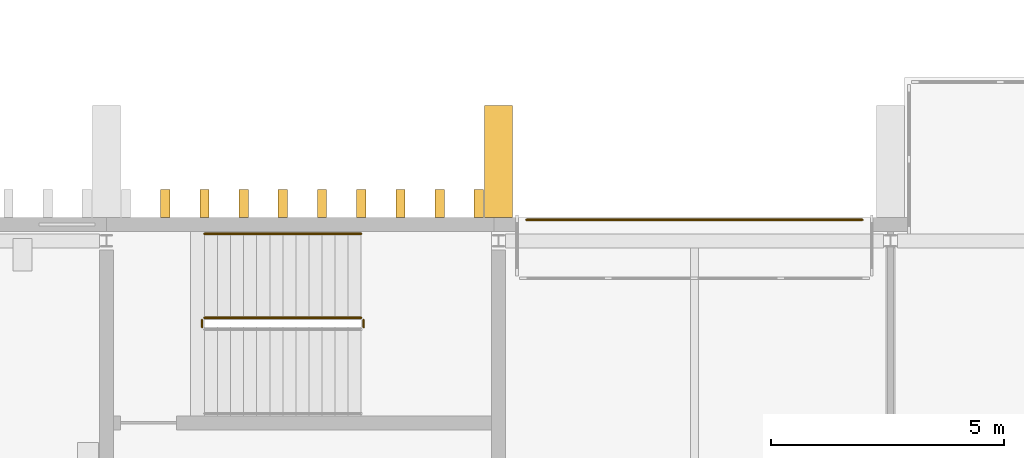
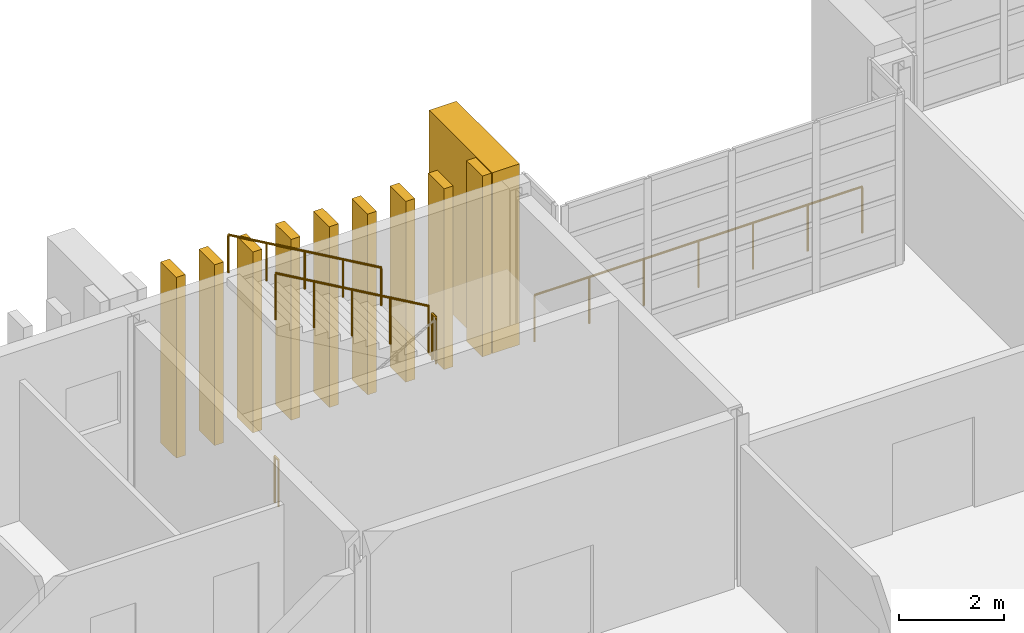
# One storey, part 78 of 88: 10 coverings, 5 railings.
"""IFC4 building model written with IfcOpenShell, lengths in metres."""

import ifcopenshell
import ifcopenshell.guid

model = None  # the IFC model being written
_history = None  # IfcOwnerHistory: only IFC2X3 demands one
_inside = {}  # id of a spatial element -> (the spatial element, [elements in it])
_under = {}  # id of a project, library or spatial element -> (it, [spatial elements below it])
_declared = {}  # id of a project -> (the project, [libraries it declares])
_typed = {}  # id of a type object -> (the type object, [elements of that type])
_made_of = {}  # id of a material, layer set ... -> (it, [elements and type objects made of it])


def new_model(schema):
    """Start an empty IFC model of exactly this schema.

    Asked for "IFC4X3", IfcOpenShell would pick the latest addendum, in which some entities
    have other attributes; the version numbers below select the first issue.
    IFC2X3 requires an IfcOwnerHistory on every rooted entity: one is made here for all.
    """
    global model, _history
    if schema == "IFC4X3":
        model = ifcopenshell.file(schema_version=(4, 3, 0, 0))
    else:
        model = ifcopenshell.file(schema=schema)
    _inside.clear()
    _under.clear()
    _declared.clear()
    _typed.clear()
    _made_of.clear()
    _history = None
    if model.schema == "IFC2X3":
        org = make("IfcOrganization", Name="unknown")
        user = make(
            "IfcPersonAndOrganization",
            ThePerson=make("IfcPerson", FamilyName="unknown"),
            TheOrganization=org,
        )
        app = make(
            "IfcApplication",
            ApplicationDeveloper=org,
            Version="unknown",
            ApplicationFullName="unknown",
            ApplicationIdentifier="unknown",
        )
        _history = make(
            "IfcOwnerHistory",
            OwningUser=user,
            OwningApplication=app,
            ChangeAction="ADDED",
            CreationDate=0,
        )
    return model


def make(cls, **values):
    """One entity of the class cls with the attributes given. An attribute that is None is left unset."""
    return model.create_entity(
        cls, **{name: value for name, value in values.items() if value is not None}
    )


def rooted(cls, **values):
    """An entity with a GlobalId (a new one), such as an element, a storey or a relation."""
    return make(cls, GlobalId=ifcopenshell.guid.new(), OwnerHistory=_history, **values)


def si_unit(unit_type, name, prefix=None):
    """IfcSIUnit, for example si_unit("LENGTHUNIT", "METRE", prefix="MILLI")."""
    return make("IfcSIUnit", UnitType=unit_type, Prefix=prefix, Name=name)


def assignment(units):
    """IfcUnitAssignment: the units of a project."""
    return None if units is None else make("IfcUnitAssignment", Units=units)


def point(xyz):
    """IfcCartesianPoint."""
    return None if xyz is None else make("IfcCartesianPoint", Coordinates=xyz)


def direction(xyz):
    """IfcDirection."""
    return None if xyz is None else make("IfcDirection", DirectionRatios=xyz)


def frame(location, z_axis=None, x_axis=None):
    """IfcAxis2Placement3D, a coordinate frame: its origin and axes. An axis left out is left unset."""
    return make(
        "IfcAxis2Placement3D",
        Location=point(location),
        Axis=direction(z_axis),
        RefDirection=direction(x_axis),
    )


def frame_2d(location, x_axis=None):
    """IfcAxis2Placement2D, a coordinate frame in the plane: its origin and x axis."""
    return make(
        "IfcAxis2Placement2D", Location=point(location), RefDirection=direction(x_axis)
    )


def origin():
    """The frame at (0, 0, 0) with its axes left unset."""
    return frame((0.0, 0.0, 0.0))


def origin_2d():
    """The frame at (0, 0) in the plane with its x axis left unset."""
    return frame_2d((0.0, 0.0))


def place(relative_to, where):
    """IfcLocalPlacement: puts the frame where relative to a parent placement (None: the world)."""
    return make(
        "IfcLocalPlacement", PlacementRelTo=relative_to, RelativePlacement=where
    )


def context(
    kind, dimensions, precision=None, world=None, true_north=None, identifier=None
):
    """IfcGeometricRepresentationContext, for example the 3D "Model" context."""
    return make(
        "IfcGeometricRepresentationContext",
        ContextIdentifier=identifier,
        ContextType=kind,
        CoordinateSpaceDimension=dimensions,
        Precision=precision,
        WorldCoordinateSystem=world,
        TrueNorth=true_north,
    )


def subcontext(parent, identifier, kind, view, scale=None):
    """IfcGeometricRepresentationSubContext, for example "Body" below "Model"."""
    return make(
        "IfcGeometricRepresentationSubContext",
        ContextIdentifier=identifier,
        ContextType=kind,
        ParentContext=parent,
        TargetScale=scale,
        TargetView=view,
    )


def project(units=None, contexts=None):
    """IfcProject with its units and contexts."""
    return rooted(
        "IfcProject",
        Name="project",
        RepresentationContexts=contexts,
        UnitsInContext=assignment(units),
    )


def spatial(cls, under=None, at=None, **own):
    """A site, building, storey or space (cls), placed at a placement, below another one or the project."""
    s = rooted(cls, ObjectPlacement=at, **own)
    if under is not None:
        _under.setdefault(under.id(), (under, []))[1].append(s)
    return s


def profile(cls, at=None, kind="AREA", **sizes):
    """A parametric profile (cls). Its sizes go by their IFC names, for example OverallWidth=200.0."""
    return make(cls, ProfileType=kind, Position=at, **sizes)


def rectangle(**sizes):
    """IfcRectangleProfileDef."""
    return profile("IfcRectangleProfileDef", **sizes)


def circle(**sizes):
    """IfcCircleProfileDef."""
    return profile("IfcCircleProfileDef", **sizes)


def extrude(swept, where, along, depth):
    """IfcExtrudedAreaSolid: the profile swept, set in the frame where, extruded along a direction by depth."""
    return make(
        "IfcExtrudedAreaSolid",
        SweptArea=swept,
        Position=where,
        ExtrudedDirection=direction(along),
        Depth=depth,
    )


def shape(context_of_items, identifier, shape_type, items):
    """IfcShapeRepresentation: the items that make up one representation, for example the "Body"."""
    return make(
        "IfcShapeRepresentation",
        ContextOfItems=context_of_items,
        RepresentationIdentifier=identifier,
        RepresentationType=shape_type,
        Items=items,
    )


def material(Name=None, Category=None):
    """IfcMaterial."""
    return make("IfcMaterial", Name=Name, Category=Category)


def made_of(thing, what):
    """Note that an element or type object is made of a material, layer set ...; save() writes the relation."""
    if what is not None:
        _made_of.setdefault(what.id(), (what, []))[1].append(thing)
    return thing


def type_object(cls, material=None, **own):
    """A type object (cls), such as IfcWallType, which elements share."""
    return made_of(rooted(cls, **own), material)


def element(
    cls,
    number,
    at=None,
    inside=None,
    cuts=None,
    type_object=None,
    material=None,
    context=None,
    identifier="Body",
    shape_type=None,
    held_by="IfcProductDefinitionShape",
    body=None,
    shapes=None,
    **own,
):
    """One element of the class cls, such as IfcWall. Its Tag is "e" and its number.

    at: its placement. inside: the storey or other place that contains it. cuts: it is an
    opening in that element (IfcRelVoidsElement). A single representation is given by context,
    identifier, shape_type and body (its items); several are given by shapes. held_by: the class
    of the entity that holds the representations. save() writes the other relations.
    """
    e = rooted(cls, Tag="e%d" % number, ObjectPlacement=at, **own)
    if body is not None:
        shapes = [shape(context, identifier, shape_type, body)]
    if shapes is not None:
        e.Representation = make(held_by, Representations=shapes)
    if inside is not None:
        _inside.setdefault(inside.id(), (inside, []))[1].append(e)
    if cuts is not None:
        rooted(
            "IfcRelVoidsElement", RelatingBuildingElement=cuts, RelatedOpeningElement=e
        )
    if type_object is not None:
        _typed.setdefault(type_object.id(), (type_object, []))[1].append(e)
    return made_of(e, material)


def aggregate(whole, parts):
    """IfcRelAggregates: a whole, such as a stair, and the parts it consists of."""
    return rooted("IfcRelAggregates", RelatingObject=whole, RelatedObjects=parts)


def save(model, path):
    """Write the relations noted so far, then the file.

    IfcRelAggregates (storeys below a building ...), IfcRelContainedInSpatialStructure (elements
    in a storey), IfcRelDefinesByType, IfcRelAssociatesMaterial and IfcRelDeclares: one each for
    every whole, place, type object, material and project.
    """
    for whole, parts in _under.values():
        aggregate(whole, parts)
    for where, things in _inside.values():
        rooted(
            "IfcRelContainedInSpatialStructure",
            RelatedElements=things,
            RelatingStructure=where,
        )
    for kind, things in _typed.values():
        rooted("IfcRelDefinesByType", RelatedObjects=things, RelatingType=kind)
    for what, things in _made_of.values():
        rooted("IfcRelAssociatesMaterial", RelatedObjects=things, RelatingMaterial=what)
    for by, libraries in _declared.values():
        rooted("IfcRelDeclares", RelatingContext=by, RelatedDefinitions=libraries)
    model.write(path)


model = new_model("IFC4")

# Units and contexts
model_context = context("Model", 3, precision=1e-05, world=origin(), true_north=direction((0.0, 1.0)))
body_context = subcontext(model_context, "Body", "Model", "MODEL_VIEW")
ifc_project = project(units=[si_unit("LENGTHUNIT", "METRE"), si_unit("AREAUNIT", "SQUARE_METRE"), si_unit("VOLUMEUNIT", "CUBIC_METRE"), si_unit("PLANEANGLEUNIT", "RADIAN"), si_unit("MASSUNIT", "GRAM", prefix="KILO")], contexts=[model_context])

# Site, building, storey
site_placement = place(None, origin())
site = spatial("IfcSite", under=ifc_project, at=site_placement, CompositionType="ELEMENT")
building_placement = place(site_placement, origin())
building = spatial("IfcBuilding", under=site, at=building_placement, Name="Cresset Court Congress Hotel", CompositionType="ELEMENT")
storey_placement = place(building_placement, frame((0.0, 0.0, 14.39990234375)))
storey = spatial("IfcBuildingStorey", under=building, at=storey_placement, Name="L03", CompositionType="ELEMENT", Elevation=14.39990234375)

# Railings
ifc_material_1 = material(Name="Steel and laminated glass", Category="steel")
railing_type_1 = type_object("IfcRailingType", Name="Guard 1100 steel and glass", PredefinedType="GUARDRAIL", material=ifc_material_1)
railing_1_placement = place(storey_placement, frame((64.31005859375, 23.35009765625, 2.10009765625)))
element("IfcRailing", 1, at=railing_1_placement, inside=storey, type_object=railing_type_1, Name="L03 ST-B3 stair guard 2", PredefinedType="GUARDRAIL", context=body_context, shape_type="SweptSolid", body=[
    extrude(circle(Radius=0.02392578125, at=origin_2d()), frame((0.0, 0.0, 1.076171875), z_axis=(0.0, 1.0, 0.0), x_axis=(-1.0, 0.0, 0.0)), (0.0, 0.0, 1.0), 0.14990234375),
    extrude(circle(Radius=0.02099609375, at=origin_2d()), origin(), (0.0, 0.0, 1.0), 1.052001953125),
    extrude(circle(Radius=0.02099609375, at=origin_2d()), frame((0.0, 0.14990234375, 0.0)), (0.0, 0.0, 1.0), 1.052001953125),
])
railing_2_placement = place(storey_placement, frame((64.260009765625, 23.550048828125, 2.26171875)))
element("IfcRailing", 2, at=railing_2_placement, inside=storey, type_object=railing_type_1, Name="L03 ST-B3 stair guard 3", PredefinedType="GUARDRAIL", context=body_context, shape_type="SweptSolid", body=[
    extrude(circle(Radius=0.02392578125, at=origin_2d()), frame((0.0, 0.0, 1.076171875), z_axis=(-0.866190824863, 0.0, 0.499713372768), x_axis=(0.0, -1.0, 0.0)), (0.0, 0.0, 1.0), 3.879150390625),
    extrude(circle(Radius=0.02099609375, at=origin_2d()), origin(), (0.0, 0.0, 1.0), 1.052001953125),
    extrude(circle(Radius=0.02099609375, at=origin_2d()), frame((-0.840087890625, 0.0, 0.484619140625)), (0.0, 0.0, 1.0), 1.052001953125),
    extrude(circle(Radius=0.02099609375, at=origin_2d()), frame((-1.68017578125, 0.0, 0.96923828125)), (0.0, 0.0, 1.0), 1.052001953125),
    extrude(circle(Radius=0.02099609375, at=origin_2d()), frame((-2.52001953125, 0.0, 1.453857421875)), (0.0, 0.0, 1.0), 1.052001953125),
    extrude(circle(Radius=0.02099609375, at=origin_2d()), frame((-3.360107421875, 0.0, 1.9384765625)), (0.0, 0.0, 1.0), 1.052001953125),
])
railing_3_placement = place(storey_placement, frame((60.85009765625, 23.35009765625, 0.0)))
element("IfcRailing", 3, at=railing_3_placement, inside=storey, type_object=railing_type_1, Name="L03 ST-B3 stair guard 4", PredefinedType="GUARDRAIL", context=body_context, shape_type="SweptSolid", body=[
    extrude(circle(Radius=0.02392578125, at=origin_2d()), frame((0.0, 0.0, 1.076171875), z_axis=(0.0, 1.0, 0.0), x_axis=(-1.0, 0.0, 0.0)), (0.0, 0.0, 1.0), 0.14990234375),
    extrude(circle(Radius=0.02099609375, at=origin_2d()), origin(), (0.0, 0.0, 1.0), 1.052001953125),
    extrude(circle(Radius=0.02099609375, at=origin_2d()), frame((0.0, 0.14990234375, 0.0)), (0.0, 0.0, 1.0), 1.052001953125),
])
ifc_material_2 = material(Name="Steel and laminated glass", Category="steel")
railing_type_2 = type_object("IfcRailingType", Name="Guard 1100 steel and glass external", PredefinedType="GUARDRAIL", material=ifc_material_2)
railing_4_placement = place(storey_placement, frame((67.800048828125, 25.64990234375, 0.0)))
element("IfcRailing", 4, at=railing_4_placement, inside=storey, type_object=railing_type_2, Name="Guard to recess N0327", PredefinedType="GUARDRAIL", context=body_context, shape_type="SweptSolid", body=[
    extrude(circle(Radius=0.02392578125, at=origin_2d()), frame((0.0, 0.0, 1.076171875), z_axis=(1.0, 0.0, 0.0), x_axis=(0.0, 1.0, 0.0)), (0.0, 0.0, 1.0), 7.199951171875),
    extrude(circle(Radius=0.02099609375, at=origin_2d()), origin(), (0.0, 0.0, 1.0), 1.052001953125),
    extrude(circle(Radius=0.02099609375, at=origin_2d()), frame((1.199951171875, 0.0, 0.0)), (0.0, 0.0, 1.0), 1.052001953125),
    extrude(circle(Radius=0.02099609375, at=origin_2d()), frame((2.39990234375, 0.0, 0.0)), (0.0, 0.0, 1.0), 1.052001953125),
    extrude(circle(Radius=0.02099609375, at=origin_2d()), frame((3.60009765625, 0.0, 0.0)), (0.0, 0.0, 1.0), 1.052001953125),
    extrude(circle(Radius=0.02099609375, at=origin_2d()), frame((4.800048828125, 0.0, 0.0)), (0.0, 0.0, 1.0), 1.052001953125),
    extrude(circle(Radius=0.02099609375, at=origin_2d()), frame((6.0, 0.0, 0.0)), (0.0, 0.0, 1.0), 1.052001953125),
    extrude(circle(Radius=0.02099609375, at=origin_2d()), frame((7.199951171875, 0.0, 0.0)), (0.0, 0.0, 1.0), 1.052001953125),
])
ifc_material_3 = material(Name="Stainless steel", Category="steel")
railing_type_3 = type_object("IfcRailingType", Name="Handrail 48 stainless", PredefinedType="HANDRAIL", material=ifc_material_3)
railing_5_placement = place(storey_placement, frame((64.260009765625, 25.35009765625, 2.26171875)))
element("IfcRailing", 5, at=railing_5_placement, inside=storey, type_object=railing_type_3, Name="L03 ST-B3 stair handrail 2", PredefinedType="HANDRAIL", context=body_context, shape_type="SweptSolid", body=[
    extrude(circle(Radius=0.02392578125, at=origin_2d()), frame((0.0, 0.0, 0.8759765625), z_axis=(-0.866190824863, 0.0, 0.499713372768), x_axis=(0.0, -1.0, 0.0)), (0.0, 0.0, 1.0), 3.879150390625),
    extrude(circle(Radius=0.02099609375, at=origin_2d()), origin(), (0.0, 0.0, 1.0), 0.851806640625),
    extrude(circle(Radius=0.02099609375, at=origin_2d()), frame((-0.840087890625, 0.0, 0.484619140625)), (0.0, 0.0, 1.0), 0.851806640625),
    extrude(circle(Radius=0.02099609375, at=origin_2d()), frame((-1.68017578125, 0.0, 0.96923828125)), (0.0, 0.0, 1.0), 0.851806640625),
    extrude(circle(Radius=0.02099609375, at=origin_2d()), frame((-2.52001953125, 0.0, 1.453857421875)), (0.0, 0.0, 1.0), 0.851806640625),
    extrude(circle(Radius=0.02099609375, at=origin_2d()), frame((-3.360107421875, 0.0, 1.9384765625)), (0.0, 0.0, 1.0), 0.851806640625),
])

# Coverings
ifc_material_4 = material(Name="Precast concrete C50", Category="concrete")
covering_type_1 = type_object("IfcCoveringType", Name="Precast stone fin 200x600 variant 1", PredefinedType="CLADDING", material=ifc_material_4)
for number, where, z_axis, x_axis, name in (
    (6, (60.06005859375, 26.0, 0.0), (0.0, 0.0, 1.0), (1.0, 0.0, 0.0), "Fin N03-061"),
    (7, (60.89990234375, 26.0, 0.0), (0.0, 0.0, 1.0), (1.0, 0.0, 0.0), "Fin N03-062"),
    (8, (61.739990234375, 26.0, 0.0), (0.0, 0.0, 1.0), (1.0, 0.0, 0.0), "Fin N03-063"),
    (9, (62.580078125, 26.0, 0.0), (0.0, 0.0, 1.0), (1.0, 0.0, 0.0), "Fin N03-064"),
    (10, (63.419921875, 26.0, 0.0), (0.0, 0.0, 1.0), (1.0, 0.0, 0.0), "Fin N03-065"),
    (11, (64.260009765625, 26.0, 0.0), (0.0, 0.0, 1.0), (1.0, 0.0, 0.0), "Fin N03-066"),
    (12, (65.10009765625, 26.0, 0.0), (0.0, 0.0, 1.0), (1.0, 0.0, 0.0), "Fin N03-067"),
    (13, (65.93994140625, 26.0, 0.0), (0.0, 0.0, 1.0), (1.0, 0.0, 0.0), "Fin N03-068"),
    (14, (66.780029296875, 26.0, 0.0), (0.0, 0.0, 1.0), (1.0, 0.0, 0.0), "Fin N03-069"),
):
    element("IfcCovering", number, at=place(storey_placement, frame(where, z_axis=z_axis, x_axis=x_axis)), inside=storey, type_object=covering_type_1, Name=name, PredefinedType="CLADDING", context=body_context, shape_type="SweptSolid", body=[
        extrude(rectangle(XDim=0.199951171875, YDim=0.60009765625, at=origin_2d()), origin(), (0.0, 0.0, 1.0), 4.199951171875),
    ])
ifc_material_5 = material(Name="Precast concrete C50", Category="concrete")
covering_type_2 = type_object("IfcCoveringType", Name="Precast stone pier 600x2400", PredefinedType="CLADDING", material=ifc_material_5)
covering_placement = place(storey_placement, frame((67.199951171875, 26.89990234375, 0.0), z_axis=(0.0, 0.0, 1.0), x_axis=(1.0, 0.0, 0.0)))
element("IfcCovering", 15, at=covering_placement, inside=storey, type_object=covering_type_2, Name="Pier N03-07", PredefinedType="CLADDING", context=body_context, shape_type="SweptSolid", body=[
    extrude(rectangle(XDim=0.60009765625, YDim=2.39990234375, at=origin_2d()), origin(), (0.0, 0.0, 1.0), 4.199951171875),
])

save(model, "model.ifc")
